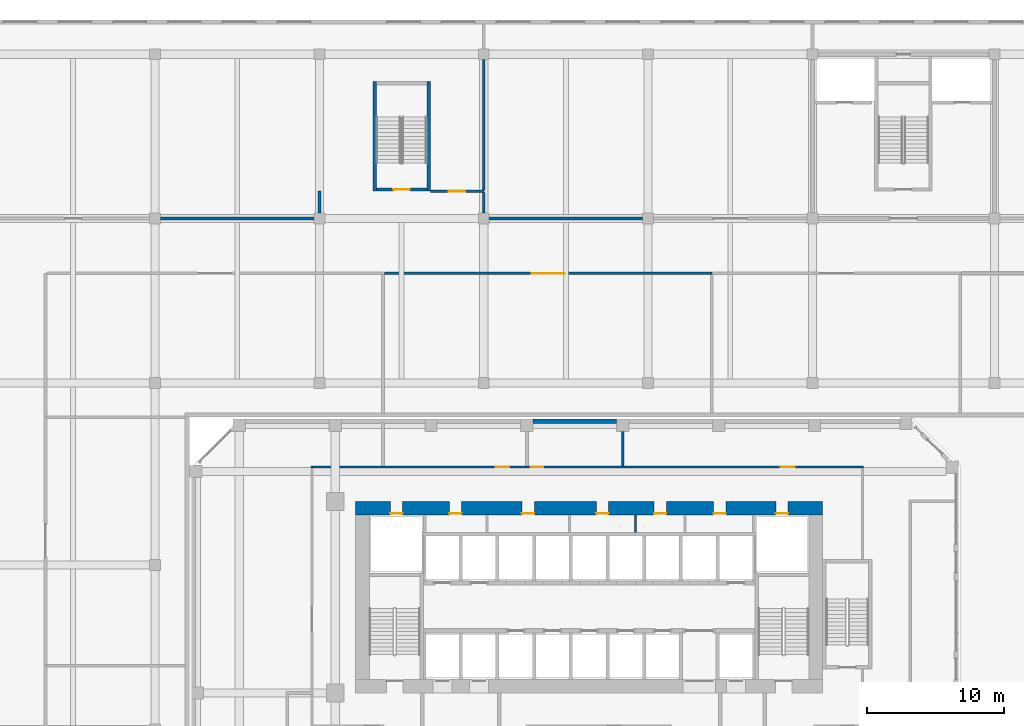
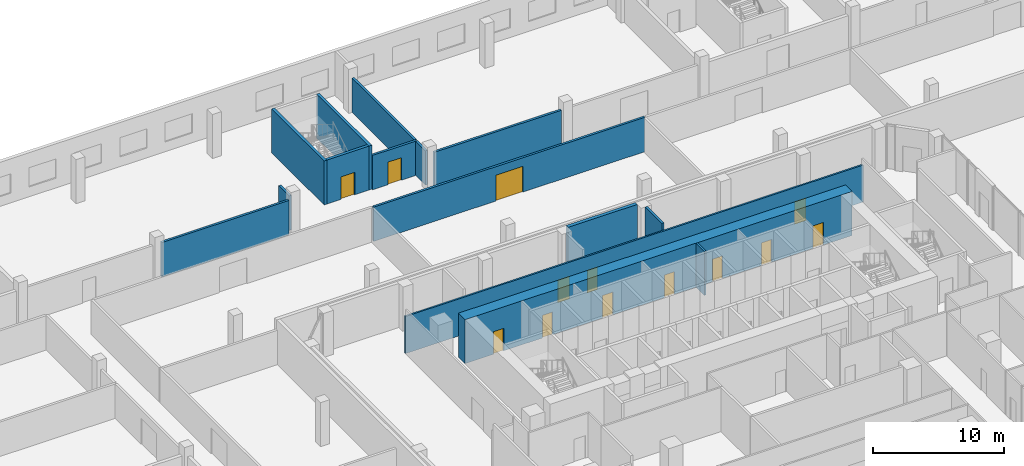
# One storey, part 26 of 38: 15 walls, 13 doors, 13 openings.
"""IFC4 building model written with IfcOpenShell, lengths in metres."""

from ifc_helpers import new_model, si_unit, direction, frame, frame_2d, origin, place, context, subcontext, project, spatial, rectangle, extrude, source, transform, mapped, material, layer, layer_set, type_object, element, fill, save


model = new_model("IFC4")

# Units and contexts
model_context = context("Model", 3, precision=1e-05, world=origin(), true_north=direction((0.0, 1.0)))
body_context = subcontext(model_context, "Body", "Model", "MODEL_VIEW")
ifc_project = project(units=[si_unit("LENGTHUNIT", "METRE"), si_unit("AREAUNIT", "SQUARE_METRE"), si_unit("VOLUMEUNIT", "CUBIC_METRE"), si_unit("PLANEANGLEUNIT", "RADIAN"), si_unit("MASSUNIT", "GRAM", prefix="KILO")], contexts=[model_context])

# Site, building, storey
site_placement = place(None, origin())
site = spatial("IfcSite", under=ifc_project, at=site_placement, CompositionType="ELEMENT")
building_placement = place(site_placement, origin())
building = spatial("IfcBuilding", under=site, at=building_placement, Name="Kilnfold Tower and Market Hall", CompositionType="ELEMENT")
storey_placement = place(building_placement, frame((0.0, 0.0, 9.0)))
storey = spatial("IfcBuildingStorey", under=building, at=storey_placement, Name="L01", CompositionType="ELEMENT", Elevation=9.0)

# Wall, openings, doors
ifc_material_1 = material(Name="Gypsum board on steel studs", Category="steel")
ifc_layer_1 = layer(ifc_material_1, 0.14990234375)
ifc_layer_set_1 = layer_set([ifc_layer_1], Name="Gypsum board on steel studs")
wall_type_1 = type_object("IfcWallType", Name="WALL CORRIDOR 150", PredefinedType="PARTITIONING", material=ifc_layer_set_1)
wall_1_placement = place(storey_placement, frame((-19.27490234375, 24.5, 0.0), z_axis=(0.0, 0.0, 1.0), x_axis=(1.0, 0.0, 0.0)))
wall_1 = element("IfcWall", 1, at=wall_1_placement, inside=storey, type_object=wall_type_1, Name="Partition LY02.28", PredefinedType="PARTITIONING", context=body_context, shape_type="SweptSolid", body=[
    extrude(rectangle(XDim=40.349853515625, YDim=0.14990234375, at=frame_2d((20.1748046875, 0.0))), origin(), (0.0, 0.0, 1.0), 3.449951171875),
])
opening_1_placement = place(wall_1_placement, frame((13.48291015625, 0.0, 0.0)))
opening_1 = element("IfcOpeningElement", 2, at=opening_1_placement, cuts=wall_1, Name="Opening D1", PredefinedType="OPENING", context=body_context, shape_type="SweptSolid", body=[
    extrude(rectangle(XDim=1.0, YDim=2.10009765625, at=frame_2d((0.5, 1.050048828125))), frame((0.0, 0.0849609375, 0.0), z_axis=(0.0, -1.0, 0.0), x_axis=(1.0, 0.0, 0.0)), (0.0, 0.0, 1.0), 0.169921875),
])
opening_2_placement = place(wall_1_placement, frame((16.06494140625, 0.0, 0.0)))
opening_2 = element("IfcOpeningElement", 3, at=opening_2_placement, cuts=wall_1, Name="Opening D2", PredefinedType="OPENING", context=body_context, shape_type="SweptSolid", body=[
    extrude(rectangle(XDim=0.89990234375, YDim=2.10009765625, at=frame_2d((0.449951171875, 1.050048828125))), frame((0.0, 0.0849609375, 0.0), z_axis=(0.0, -1.0, 0.0), x_axis=(1.0, 0.0, 0.0)), (0.0, 0.0, 1.0), 0.169921875),
])
opening_3_placement = place(wall_1_placement, frame((34.324951171875, 0.0, 0.0)))
opening_3 = element("IfcOpeningElement", 4, at=opening_3_placement, cuts=wall_1, Name="Opening D1", PredefinedType="OPENING", context=body_context, shape_type="SweptSolid", body=[
    extrude(rectangle(XDim=1.0, YDim=2.10009765625, at=frame_2d((0.5, 1.050048828125))), frame((0.0, 0.0849609375, 0.0), z_axis=(0.0, -1.0, 0.0), x_axis=(1.0, 0.0, 0.0)), (0.0, 0.0, 1.0), 0.169921875),
])
ifc_material_2 = material(Name="Timber veneer door leaf in steel frame", Category="steel")
door_type_1 = type_object("IfcDoorType", Name="DOOR ENTRY 1000 X2100", OperationType="NOTDEFINED", PredefinedType="DOOR", material=ifc_material_2)
door_1_placement = place(opening_1_placement, origin())
door_1 = element("IfcDoor", 5, at=door_1_placement, inside=storey, type_object=door_type_1, Name="Door D1", OperationType="SINGLE_SWING_RIGHT", OverallHeight=2.10009765625, OverallWidth=1.0, PredefinedType="DOOR", context=body_context, shape_type="SweptSolid", body=[
    extrude(rectangle(XDim=1.0, YDim=2.10009765625, at=frame_2d((0.5, 1.050048828125))), frame((0.0, 0.02490234375, 0.0), z_axis=(0.0, -1.0, 0.0), x_axis=(1.0, 0.0, 0.0)), (0.0, 0.0, 1.0), 0.050048828125),
])
fill(opening_1, door_1)
door_2_placement = place(opening_3_placement, origin())
door_2 = element("IfcDoor", 6, at=door_2_placement, inside=storey, type_object=door_type_1, Name="Door D1", OperationType="SINGLE_SWING_LEFT", OverallHeight=2.10009765625, OverallWidth=1.0, PredefinedType="DOOR", context=body_context, shape_type="SweptSolid", body=[
    extrude(rectangle(XDim=1.0, YDim=2.10009765625, at=frame_2d((0.5, 1.050048828125))), frame((0.0, 0.02490234375, 0.0), z_axis=(0.0, -1.0, 0.0), x_axis=(1.0, 0.0, 0.0)), (0.0, 0.0, 1.0), 0.050048828125),
])
fill(opening_3, door_2)
ifc_material_3 = material(Name="Timber veneer door leaf in steel frame", Category="steel")
door_type_2 = type_object("IfcDoorType", Name="DOOR ROOM 900 X2100", OperationType="NOTDEFINED", PredefinedType="DOOR", material=ifc_material_3)
door_3_placement = place(opening_2_placement, origin())
door_3 = element("IfcDoor", 7, at=door_3_placement, inside=storey, type_object=door_type_2, Name="Door D2", OperationType="SINGLE_SWING_LEFT", OverallHeight=2.10009765625, OverallWidth=0.89990234375, PredefinedType="DOOR", context=body_context, shape_type="SweptSolid", body=[
    extrude(rectangle(XDim=0.89990234375, YDim=2.10009765625, at=frame_2d((0.449951171875, 1.050048828125))), frame((0.0, 0.02490234375, 0.0), z_axis=(0.0, -1.0, 0.0), x_axis=(1.0, 0.0, 0.0)), (0.0, 0.0, 1.0), 0.050048828125),
])
fill(opening_2, door_3)

# Wall
ifc_material_4 = material(Name="Gypsum board on steel studs", Category="steel")
ifc_layer_2 = layer(ifc_material_4, 0.199951171875)
ifc_layer_set_2 = layer_set([ifc_layer_2], Name="Gypsum board on steel studs")
wall_type_2 = type_object("IfcWallType", Name="WALL PARTY 200", PredefinedType="PARTITIONING", material=ifc_layer_set_2)
wall_2_placement = place(storey_placement, frame((3.5, 24.575927734375, 0.0), z_axis=(0.0, 0.0, 1.0), x_axis=(0.0, 1.0, 0.0)))
element("IfcWall", 8, at=wall_2_placement, inside=storey, type_object=wall_type_2, Name="Partition LY02.56", PredefinedType="PARTITIONING", context=body_context, shape_type="SweptSolid", body=[
    extrude(rectangle(XDim=2.524169921875, YDim=0.199951171875, at=frame_2d((1.26220703125, 0.0))), origin(), (0.0, 0.0, 1.0), 4.10009765625),
])

# Wall, openings, doors
ifc_material_5 = material(Name="Concrete C80", Category="concrete")
ifc_layer_3 = layer(ifc_material_5, 1.0)
ifc_layer_set_3 = layer_set([ifc_layer_3], Name="Concrete C80")
wall_type_3 = type_object("IfcWallType", Name="CORE WALL 1000 C80", PredefinedType="SHEAR", material=ifc_layer_set_3)
shared_shape_1 = source(origin(), body_context, "Body", "SweptSolid", [
    extrude(rectangle(XDim=34.10009765625, YDim=1.0, at=frame_2d((17.050048828125, 0.0))), origin(), (0.0, 0.0, 1.0), 4.10009765625),
])
wall_3_placement = place(storey_placement, frame((-16.0, 21.5, 0.0), z_axis=(0.0, 0.0, 1.0), x_axis=(1.0, 0.0, 0.0)))
wall_3 = element("IfcWall", 9, at=wall_3_placement, inside=storey, type_object=wall_type_3, Name="Core outer wall north", PredefinedType="SHEAR", context=body_context, shape_type="MappedRepresentation", body=[
    mapped(shared_shape_1, transform((0.0, 0.0, 0.0))),
])
opening_4_placement = place(wall_3_placement, frame((6.831298828125, 0.0, 0.0)))
opening_4 = element("IfcOpeningElement", 10, at=opening_4_placement, cuts=wall_3, Name="Opening KD1", PredefinedType="OPENING", context=body_context, shape_type="SweptSolid", body=[
    extrude(rectangle(XDim=0.89990234375, YDim=2.10009765625, at=frame_2d((0.449951171875, 1.050048828125))), frame((0.0, 0.510009765625, 0.0), z_axis=(0.0, -1.0, 0.0), x_axis=(1.0, 0.0, 0.0)), (0.0, 0.0, 1.0), 1.02001953125),
])
opening_5_placement = place(wall_3_placement, frame((12.1376953125, 0.0, 0.0)))
opening_5 = element("IfcOpeningElement", 11, at=opening_5_placement, cuts=wall_3, Name="Opening KD1", PredefinedType="OPENING", context=body_context, shape_type="SweptSolid", body=[
    extrude(rectangle(XDim=0.89990234375, YDim=2.10009765625, at=frame_2d((0.449951171875, 1.050048828125))), frame((0.0, 0.510009765625, 0.0), z_axis=(0.0, -1.0, 0.0), x_axis=(1.0, 0.0, 0.0)), (0.0, 0.0, 1.0), 1.02001953125),
])
opening_6_placement = place(wall_3_placement, frame((17.564697265625, 0.0, 0.0)))
opening_6 = element("IfcOpeningElement", 12, at=opening_6_placement, cuts=wall_3, Name="Opening KD1", PredefinedType="OPENING", context=body_context, shape_type="SweptSolid", body=[
    extrude(rectangle(XDim=0.89990234375, YDim=2.10009765625, at=frame_2d((0.449951171875, 1.050048828125))), frame((0.0, 0.510009765625, 0.0), z_axis=(0.0, -1.0, 0.0), x_axis=(1.0, 0.0, 0.0)), (0.0, 0.0, 1.0), 1.02001953125),
])
opening_7_placement = place(wall_3_placement, frame((21.785888671875, 0.0, 0.0)))
opening_7 = element("IfcOpeningElement", 13, at=opening_7_placement, cuts=wall_3, Name="Opening KD1", PredefinedType="OPENING", context=body_context, shape_type="SweptSolid", body=[
    extrude(rectangle(XDim=0.89990234375, YDim=2.10009765625, at=frame_2d((0.449951171875, 1.050048828125))), frame((0.0, 0.510009765625, 0.0), z_axis=(0.0, -1.0, 0.0), x_axis=(1.0, 0.0, 0.0)), (0.0, 0.0, 1.0), 1.02001953125),
])
opening_8_placement = place(wall_3_placement, frame((26.12744140625, 0.0, 0.0)))
opening_8 = element("IfcOpeningElement", 14, at=opening_8_placement, cuts=wall_3, Name="Opening KD1", PredefinedType="OPENING", context=body_context, shape_type="SweptSolid", body=[
    extrude(rectangle(XDim=0.89990234375, YDim=2.10009765625, at=frame_2d((0.449951171875, 1.050048828125))), frame((0.0, 0.510009765625, 0.0), z_axis=(0.0, -1.0, 0.0), x_axis=(1.0, 0.0, 0.0)), (0.0, 0.0, 1.0), 1.02001953125),
])
opening_9_placement = place(wall_3_placement, frame((2.52490234375, 0.0, 0.0)))
opening_9 = element("IfcOpeningElement", 15, at=opening_9_placement, cuts=wall_3, Name="Opening KD1", PredefinedType="OPENING", context=body_context, shape_type="SweptSolid", body=[
    extrude(rectangle(XDim=0.89990234375, YDim=2.10009765625, at=frame_2d((0.449951171875, 1.050048828125))), frame((0.0, 0.510009765625, 0.0), z_axis=(0.0, -1.0, 0.0), x_axis=(1.0, 0.0, 0.0)), (0.0, 0.0, 1.0), 1.02001953125),
])
opening_10_placement = place(wall_3_placement, frame((30.675048828125, 0.0, 0.0)))
opening_10 = element("IfcOpeningElement", 16, at=opening_10_placement, cuts=wall_3, Name="Opening KD1", PredefinedType="OPENING", context=body_context, shape_type="SweptSolid", body=[
    extrude(rectangle(XDim=0.89990234375, YDim=2.10009765625, at=frame_2d((0.449951171875, 1.050048828125))), frame((0.0, 0.510009765625, 0.0), z_axis=(0.0, -1.0, 0.0), x_axis=(1.0, 0.0, 0.0)), (0.0, 0.0, 1.0), 1.02001953125),
])
ifc_material_6 = material(Name="Steel door set with fire-resisting leaf", Category="steel")
door_type_3 = type_object("IfcDoorType", Name="SERVICE DOOR 900X2100", OperationType="NOTDEFINED", PredefinedType="DOOR", material=ifc_material_6)
door_4_placement = place(opening_4_placement, origin())
door_4 = element("IfcDoor", 17, at=door_4_placement, inside=storey, type_object=door_type_3, Name="Core service door", OperationType="SINGLE_SWING_RIGHT", OverallHeight=2.10009765625, OverallWidth=0.89990234375, PredefinedType="DOOR", context=body_context, shape_type="SweptSolid", body=[
    extrude(rectangle(XDim=0.89990234375, YDim=2.10009765625, at=frame_2d((0.449951171875, 1.050048828125))), frame((0.0, -0.35498046875, 0.0), z_axis=(0.0, -1.0, 0.0), x_axis=(1.0, 0.0, 0.0)), (0.0, 0.0, 1.0), 0.050048828125),
])
fill(opening_4, door_4)
door_5_placement = place(opening_5_placement, origin())
door_5 = element("IfcDoor", 18, at=door_5_placement, inside=storey, type_object=door_type_3, Name="Core service door", OperationType="SINGLE_SWING_LEFT", OverallHeight=2.10009765625, OverallWidth=0.89990234375, PredefinedType="DOOR", context=body_context, shape_type="SweptSolid", body=[
    extrude(rectangle(XDim=0.89990234375, YDim=2.10009765625, at=frame_2d((0.449951171875, 1.050048828125))), frame((0.0, -0.35498046875, 0.0), z_axis=(0.0, -1.0, 0.0), x_axis=(1.0, 0.0, 0.0)), (0.0, 0.0, 1.0), 0.050048828125),
])
fill(opening_5, door_5)
door_6_placement = place(opening_6_placement, origin())
door_6 = element("IfcDoor", 19, at=door_6_placement, inside=storey, type_object=door_type_3, Name="Core service door", OperationType="SINGLE_SWING_RIGHT", OverallHeight=2.10009765625, OverallWidth=0.89990234375, PredefinedType="DOOR", context=body_context, shape_type="SweptSolid", body=[
    extrude(rectangle(XDim=0.89990234375, YDim=2.10009765625, at=frame_2d((0.449951171875, 1.050048828125))), frame((0.0, -0.35498046875, 0.0), z_axis=(0.0, -1.0, 0.0), x_axis=(1.0, 0.0, 0.0)), (0.0, 0.0, 1.0), 0.050048828125),
])
fill(opening_6, door_6)
door_7_placement = place(opening_7_placement, origin())
door_7 = element("IfcDoor", 20, at=door_7_placement, inside=storey, type_object=door_type_3, Name="Core service door", OperationType="SINGLE_SWING_LEFT", OverallHeight=2.10009765625, OverallWidth=0.89990234375, PredefinedType="DOOR", context=body_context, shape_type="SweptSolid", body=[
    extrude(rectangle(XDim=0.89990234375, YDim=2.10009765625, at=frame_2d((0.449951171875, 1.050048828125))), frame((0.0, -0.35498046875, 0.0), z_axis=(0.0, -1.0, 0.0), x_axis=(1.0, 0.0, 0.0)), (0.0, 0.0, 1.0), 0.050048828125),
])
fill(opening_7, door_7)
door_8_placement = place(opening_8_placement, origin())
door_8 = element("IfcDoor", 21, at=door_8_placement, inside=storey, type_object=door_type_3, Name="Core service door", OperationType="SINGLE_SWING_RIGHT", OverallHeight=2.10009765625, OverallWidth=0.89990234375, PredefinedType="DOOR", context=body_context, shape_type="SweptSolid", body=[
    extrude(rectangle(XDim=0.89990234375, YDim=2.10009765625, at=frame_2d((0.449951171875, 1.050048828125))), frame((0.0, -0.35498046875, 0.0), z_axis=(0.0, -1.0, 0.0), x_axis=(1.0, 0.0, 0.0)), (0.0, 0.0, 1.0), 0.050048828125),
])
fill(opening_8, door_8)
door_9_placement = place(opening_9_placement, origin())
door_9 = element("IfcDoor", 22, at=door_9_placement, inside=storey, type_object=door_type_3, Name="Electrical riser access door", OperationType="SINGLE_SWING_LEFT", OverallHeight=2.10009765625, OverallWidth=0.89990234375, PredefinedType="DOOR", context=body_context, shape_type="SweptSolid", body=[
    extrude(rectangle(XDim=0.89990234375, YDim=2.10009765625, at=frame_2d((0.449951171875, 1.050048828125))), frame((0.0, -0.35498046875, 0.0), z_axis=(0.0, -1.0, 0.0), x_axis=(1.0, 0.0, 0.0)), (0.0, 0.0, 1.0), 0.050048828125),
])
fill(opening_9, door_9)
door_10_placement = place(opening_10_placement, origin())
door_10 = element("IfcDoor", 23, at=door_10_placement, inside=storey, type_object=door_type_3, Name="Mechanical riser access door", OperationType="SINGLE_SWING_RIGHT", OverallHeight=2.10009765625, OverallWidth=0.89990234375, PredefinedType="DOOR", context=body_context, shape_type="SweptSolid", body=[
    extrude(rectangle(XDim=0.89990234375, YDim=2.10009765625, at=frame_2d((0.449951171875, 1.050048828125))), frame((0.0, -0.35498046875, 0.0), z_axis=(0.0, -1.0, 0.0), x_axis=(1.0, 0.0, 0.0)), (0.0, 0.0, 1.0), 0.050048828125),
])
fill(opening_10, door_10)

# Wall, opening, door
ifc_material_7 = material(Name="Concrete C50/60", Category="concrete")
ifc_layer_4 = layer(ifc_material_7, 0.25)
ifc_layer_set_4 = layer_set([ifc_layer_4], Name="Concrete C50/60")
wall_type_4 = type_object("IfcWallType", Name="HALL CORE WALL 250", PredefinedType="SHEAR", material=ifc_layer_set_4)
shared_shape_2 = source(origin(), body_context, "Body", "SweptSolid", [
    extrude(rectangle(XDim=3.699951171875, YDim=0.25, at=frame_2d((1.85009765625, 0.0))), origin(), (0.0, 0.0, 1.0), 4.10009765625),
])
wall_4_placement = place(storey_placement, frame((-14.5, 44.77490234375, 0.0), z_axis=(0.0, 0.0, 1.0), x_axis=(1.0, 0.0, 0.0)))
wall_4 = element("IfcWall", 24, at=wall_4_placement, inside=storey, type_object=wall_type_4, Name="Core wall MS4", PredefinedType="SHEAR", context=body_context, shape_type="MappedRepresentation", body=[
    mapped(shared_shape_2, transform((0.0, 0.0, 0.0))),
])
opening_11_placement = place(wall_4_placement, frame((1.25, 0.0, 0.0)))
opening_11 = element("IfcOpeningElement", 25, at=opening_11_placement, cuts=wall_4, Name="Opening MD9-60", PredefinedType="OPENING", context=body_context, shape_type="SweptSolid", body=[
    extrude(rectangle(XDim=1.199951171875, YDim=2.10009765625, at=frame_2d((0.60009765625, 1.050048828125))), frame((0.0, 0.135009765625, 0.0), z_axis=(0.0, -1.0, 0.0), x_axis=(1.0, 0.0, 0.0)), (0.0, 0.0, 1.0), 0.27001953125),
])
ifc_material_8 = material(Name="Steel S355", Category="steel")
door_type_4 = type_object("IfcDoorType", Name="HALL DOOR STAIR 1200X2100 FD60", OperationType="NOTDEFINED", PredefinedType="DOOR", material=ifc_material_8)
door_11_placement = place(opening_11_placement, origin())
door_11 = element("IfcDoor", 26, at=door_11_placement, inside=storey, type_object=door_type_4, Name="Door MD9-60", OperationType="DOUBLE_DOOR_SINGLE_SWING", OverallHeight=2.10009765625, OverallWidth=1.199951171875, PredefinedType="DOOR", context=body_context, shape_type="SweptSolid", body=[
    extrude(rectangle(XDim=1.199951171875, YDim=2.10009765625, at=frame_2d((0.60009765625, 1.050048828125))), frame((0.0, 0.02490234375, 0.0), z_axis=(0.0, -1.0, 0.0), x_axis=(1.0, 0.0, 0.0)), (0.0, 0.0, 1.0), 0.050048828125),
])
fill(opening_11, door_11)

# Walls
shared_shape_3 = source(origin(), body_context, "Body", "SweptSolid", [
    extrude(rectangle(XDim=8.0, YDim=0.25, at=frame_2d((4.0, 0.0))), origin(), (0.0, 0.0, 1.0), 4.10009765625),
])
for number, where, z_axis, x_axis, name in (
    (27, (-14.625, 44.64990234375, 0.0), (0.0, 0.0, 1.0), (0.0, 1.0, 0.0), "Core wall MS4"),
    (28, (-10.675048828125, 44.64990234375, 0.0), (0.0, 0.0, 1.0), (0.0, 1.0, 0.0), "Core wall MS4"),
):
    element("IfcWall", number, at=place(storey_placement, frame(where, z_axis=z_axis, x_axis=x_axis)), inside=storey, type_object=wall_type_4, Name=name, PredefinedType="SHEAR", context=body_context, shape_type="MappedRepresentation", body=[
        mapped(shared_shape_3, transform((0.0, 0.0, 0.0))),
    ])
ifc_material_9 = material(Name="Precast concrete C50/60", Category="concrete")
ifc_layer_5 = layer(ifc_material_9, 0.300048828125)
ifc_layer_set_5 = layer_set([ifc_layer_5], Name="Precast concrete C50/60")
wall_type_5 = type_object("IfcWallType", Name="PRECAST WALL 300", PredefinedType="SOLIDWALL", material=ifc_layer_set_5)
shared_shape_4 = source(origin(), body_context, "Body", "SweptSolid", [
    extrude(rectangle(XDim=6.10009765625, YDim=0.300048828125, at=frame_2d((3.050048828125, 0.0))), origin(), (0.0, 0.0, 1.0), 4.10009765625),
])
wall_5_placement = place(storey_placement, frame((3.050048828125, 27.85009765625, 0.0), z_axis=(0.0, 0.0, 1.0), x_axis=(-1.0, 0.0, 0.0)))
element("IfcWall", 29, at=wall_5_placement, inside=storey, type_object=wall_type_5, Name="Party wall L01 N", PredefinedType="SOLIDWALL", context=body_context, shape_type="MappedRepresentation", body=[
    mapped(shared_shape_4, transform((0.0, 0.0, 0.0))),
])
ifc_material_10 = material(Name="Gypsum shaft wall system")
ifc_layer_6 = layer(ifc_material_10, 0.14990234375)
ifc_layer_set_6 = layer_set([ifc_layer_6], Name="Gypsum shaft wall system")
wall_type_6 = type_object("IfcWallType", Name="ROOM WALL 150", PredefinedType="PARTITIONING", material=ifc_layer_set_6)
shared_shape_5 = source(origin(), body_context, "Body", "SweptSolid", [
    extrude(rectangle(XDim=1.27490234375, YDim=0.14990234375, at=frame_2d((0.637451171875, 0.0))), origin(), (0.0, 0.0, 1.0), 4.10009765625),
])
wall_6_placement = place(storey_placement, frame((4.4267578125, 19.72509765625, 0.0), z_axis=(0.0, 0.0, 1.0), x_axis=(0.0, 1.0, 0.0)))
element("IfcWall", 30, at=wall_6_placement, inside=storey, type_object=wall_type_6, Name="Core room wall", PredefinedType="PARTITIONING", context=body_context, shape_type="MappedRepresentation", body=[
    mapped(shared_shape_5, transform((0.0, 0.0, 0.0))),
])

# Wall, opening, door
ifc_material_11 = material(Name="Concrete blockwork", Category="masonry")
ifc_layer_7 = layer(ifc_material_11, 0.199951171875)
ifc_layer_set_7 = layer_set([ifc_layer_7], Name="Concrete blockwork")
wall_type_7 = type_object("IfcWallType", Name="HALL PARTITION 200 EI 120", PredefinedType="PARTITIONING", material=ifc_layer_set_7)
shared_shape_6 = source(origin(), body_context, "Body", "SweptSolid", [
    extrude(rectangle(XDim=3.900146484375, YDim=0.199951171875, at=frame_2d((1.9501953125, 0.0))), origin(), (0.0, 0.0, 1.0), 3.199951171875),
])
wall_7_placement = place(storey_placement, frame((-10.550048828125, 44.64990234375, 0.0), z_axis=(0.0, 0.0, 1.0), x_axis=(1.0, 0.0, 0.0)))
wall_7 = element("IfcWall", 31, at=wall_7_placement, inside=storey, type_object=wall_type_7, Name="Partition W-MH-L01.36", PredefinedType="PARTITIONING", context=body_context, shape_type="MappedRepresentation", body=[
    mapped(shared_shape_6, transform((0.0, 0.0, 0.0))),
])
opening_12_placement = place(wall_7_placement, frame((1.35009765625, 0.0, 0.0)))
opening_12 = element("IfcOpeningElement", 32, at=opening_12_placement, cuts=wall_7, Name="Opening MD3-120", PredefinedType="OPENING", context=body_context, shape_type="SweptSolid", body=[
    extrude(rectangle(XDim=1.199951171875, YDim=2.10009765625, at=frame_2d((0.60009765625, 1.050048828125))), frame((0.0, 0.10986328125, 0.0), z_axis=(0.0, -1.0, 0.0), x_axis=(1.0, 0.0, 0.0)), (0.0, 0.0, 1.0), 0.219970703125),
])
ifc_material_12 = material(Name="Steel S355", Category="steel")
door_type_5 = type_object("IfcDoorType", Name="HALL DOOR SERVICE 1200X2100 FD120", OperationType="NOTDEFINED", PredefinedType="DOOR", material=ifc_material_12)
door_12_placement = place(opening_12_placement, origin())
door_12 = element("IfcDoor", 33, at=door_12_placement, inside=storey, type_object=door_type_5, Name="Door MD3-120", OperationType="SINGLE_SWING_LEFT", OverallHeight=2.10009765625, OverallWidth=1.199951171875, PredefinedType="DOOR", context=body_context, shape_type="SweptSolid", body=[
    extrude(rectangle(XDim=1.199951171875, YDim=2.10009765625, at=frame_2d((0.60009765625, 1.050048828125))), frame((0.0, 0.02490234375, 0.0), z_axis=(0.0, -1.0, 0.0), x_axis=(1.0, 0.0, 0.0)), (0.0, 0.0, 1.0), 0.050048828125),
])
fill(opening_12, door_12)

# Walls
shared_shape_7 = source(origin(), body_context, "Body", "SweptSolid", [
    extrude(rectangle(XDim=9.5, YDim=0.199951171875, at=frame_2d((4.75, 0.0))), origin(), (0.0, 0.0, 1.0), 3.199951171875),
])
wall_8_placement = place(storey_placement, frame((-6.64990234375, 54.25, 0.0), z_axis=(0.0, 0.0, 1.0), x_axis=(0.0, -1.0, 0.0)))
element("IfcWall", 34, at=wall_8_placement, inside=storey, type_object=wall_type_7, Name="Partition W-MH-L01.38", PredefinedType="PARTITIONING", context=body_context, shape_type="MappedRepresentation", body=[
    mapped(shared_shape_7, transform((0.0, 0.0, 0.0))),
])
ifc_material_13 = material(Name="Concrete blockwork", Category="masonry")
ifc_layer_8 = layer(ifc_material_13, 0.199951171875)
ifc_layer_set_8 = layer_set([ifc_layer_8], Name="Concrete blockwork")
wall_type_8 = type_object("IfcWallType", Name="HALL PARTITION 200 EI 60", PredefinedType="PARTITIONING", material=ifc_layer_set_8)
shared_shape_8 = source(origin(), body_context, "Body", "SweptSolid", [
    extrude(rectangle(XDim=1.5, YDim=0.199951171875, at=frame_2d((0.75, 0.0))), origin(), (0.0, 0.0, 1.0), 3.199951171875),
])
wall_9_placement = place(storey_placement, frame((-6.64990234375, 44.550048828125, 0.0), z_axis=(0.0, 0.0, 1.0), x_axis=(0.0, -1.0, 0.0)))
element("IfcWall", 35, at=wall_9_placement, inside=storey, type_object=wall_type_8, Name="Partition W-MH-L01.37", PredefinedType="PARTITIONING", context=body_context, shape_type="MappedRepresentation", body=[
    mapped(shared_shape_8, transform((0.0, 0.0, 0.0))),
])
shared_shape_9 = source(origin(), body_context, "Body", "SweptSolid", [
    extrude(rectangle(XDim=11.199951171875, YDim=0.199951171875, at=frame_2d((5.60009765625, 0.0))), origin(), (0.0, 0.0, 1.0), 3.199951171875),
])
wall_10_placement = place(storey_placement, frame((-30.25, 42.64990234375, 0.0), z_axis=(0.0, 0.0, 1.0), x_axis=(1.0, 0.0, 0.0)))
element("IfcWall", 36, at=wall_10_placement, inside=storey, type_object=wall_type_7, Name="Partition W-MH-L01.31", PredefinedType="PARTITIONING", context=body_context, shape_type="MappedRepresentation", body=[
    mapped(shared_shape_9, transform((0.0, 0.0, 0.0))),
])
wall_11_placement = place(storey_placement, frame((-6.25, 42.64990234375, 0.0), z_axis=(0.0, 0.0, 1.0), x_axis=(1.0, 0.0, 0.0)))
element("IfcWall", 37, at=wall_11_placement, inside=storey, type_object=wall_type_8, Name="Partition W-MH-L01.40", PredefinedType="PARTITIONING", context=body_context, shape_type="MappedRepresentation", body=[
    mapped(shared_shape_9, transform((0.0, 0.0, 0.0))),
])
shared_shape_10 = source(origin(), body_context, "Body", "SweptSolid", [
    extrude(rectangle(XDim=1.599853515625, YDim=0.199951171875, at=frame_2d((0.7998046875, 0.0))), origin(), (0.0, 0.0, 1.0), 3.199951171875),
])
wall_12_placement = place(storey_placement, frame((-18.64990234375, 43.050048828125, 0.0), z_axis=(0.0, 0.0, 1.0), x_axis=(0.0, 1.0, 0.0)))
element("IfcWall", 38, at=wall_12_placement, inside=storey, type_object=wall_type_7, Name="Partition W-MH-L01.33", PredefinedType="PARTITIONING", context=body_context, shape_type="MappedRepresentation", body=[
    mapped(shared_shape_10, transform((0.0, 0.0, 0.0))),
])

# Wall, opening, door
shared_shape_11 = source(origin(), body_context, "Body", "SweptSolid", [
    extrude(rectangle(XDim=23.89990234375, YDim=0.199951171875, at=frame_2d((11.949951171875, 0.0))), origin(), (0.0, 0.0, 1.0), 3.199951171875),
])
wall_13_placement = place(storey_placement, frame((10.0, 38.64990234375, 0.0), z_axis=(0.0, 0.0, 1.0), x_axis=(-1.0, 0.0, 0.0)))
wall_13 = element("IfcWall", 39, at=wall_13_placement, inside=storey, type_object=wall_type_8, Name="Partition W-MH-L01.42", PredefinedType="PARTITIONING", context=body_context, shape_type="MappedRepresentation", body=[
    mapped(shared_shape_11, transform((0.0, 0.0, 0.0))),
])
opening_13_placement = place(wall_13_placement, frame((10.75, 0.0, 0.0)))
opening_13 = element("IfcOpeningElement", 40, at=opening_13_placement, cuts=wall_13, Name="Opening MD7-60", PredefinedType="OPENING", context=body_context, shape_type="SweptSolid", body=[
    extrude(rectangle(XDim=2.39990234375, YDim=2.39990234375, at=frame_2d((1.199951171875, 1.199951171875))), frame((0.0, 0.10986328125, 0.0), z_axis=(0.0, -1.0, 0.0), x_axis=(1.0, 0.0, 0.0)), (0.0, 0.0, 1.0), 0.219970703125),
])
ifc_material_14 = material(Name="Aluminium glazing", Category="aluminium")
door_type_6 = type_object("IfcDoorType", Name="HALL DOOR HALL 2400X2400 FD60", OperationType="NOTDEFINED", PredefinedType="DOOR", material=ifc_material_14)
door_13_placement = place(opening_13_placement, origin())
door_13 = element("IfcDoor", 41, at=door_13_placement, inside=storey, type_object=door_type_6, Name="Door MD7-60", OperationType="DOUBLE_DOOR_SINGLE_SWING", OverallHeight=2.39990234375, OverallWidth=2.39990234375, PredefinedType="DOOR", context=body_context, shape_type="SweptSolid", body=[
    extrude(rectangle(XDim=2.39990234375, YDim=2.39990234375, at=frame_2d((1.199951171875, 1.199951171875))), frame((0.0, 0.02490234375, 0.0), z_axis=(0.0, -1.0, 0.0), x_axis=(1.0, 0.0, 0.0)), (0.0, 0.0, 1.0), 0.050048828125),
])
fill(opening_13, door_13)

save(model, "model.ifc")
